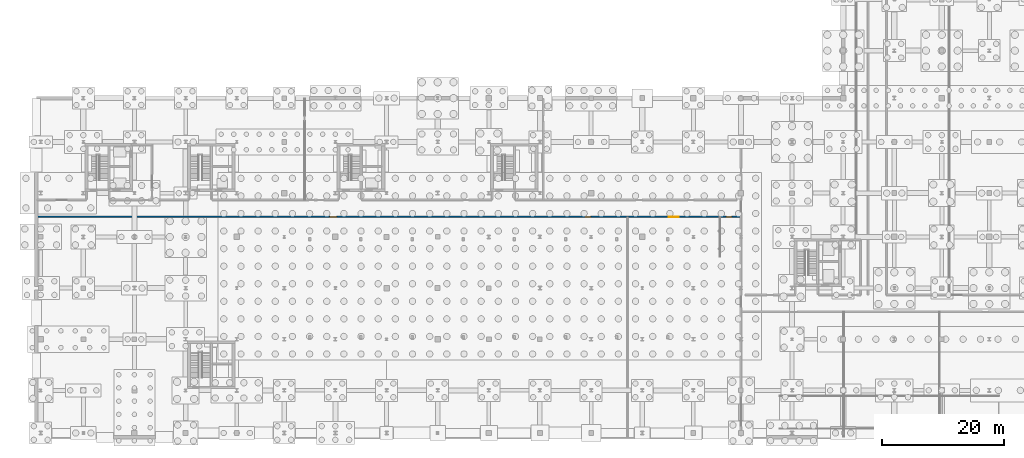
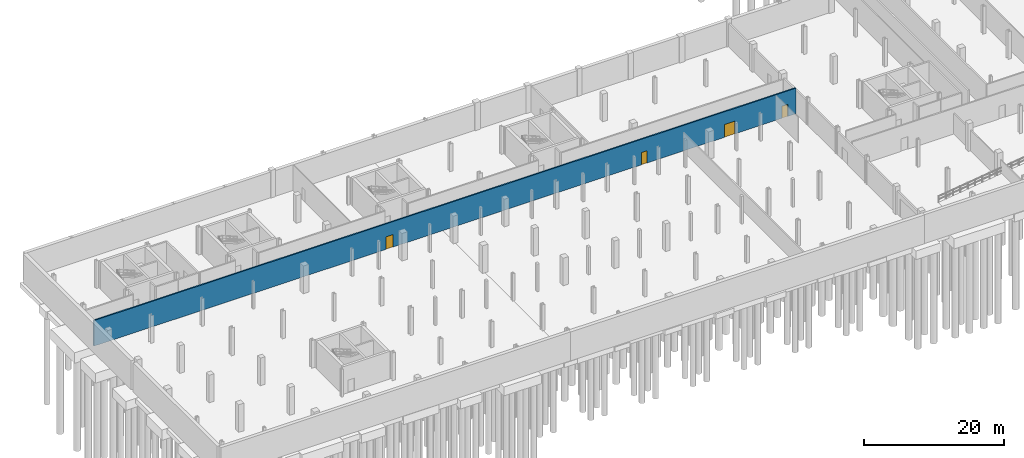
# One storey, part 22 of 32: 4 doors, 1 wall, 4 openings.
"""IFC4 building model written with IfcOpenShell, lengths in metres."""

import ifcopenshell
import ifcopenshell.guid

model = None  # the IFC model being written
_history = None  # IfcOwnerHistory: only IFC2X3 demands one
_inside = {}  # id of a spatial element -> (the spatial element, [elements in it])
_under = {}  # id of a project, library or spatial element -> (it, [spatial elements below it])
_declared = {}  # id of a project -> (the project, [libraries it declares])
_typed = {}  # id of a type object -> (the type object, [elements of that type])
_made_of = {}  # id of a material, layer set ... -> (it, [elements and type objects made of it])


def new_model(schema):
    """Start an empty IFC model of exactly this schema.

    Asked for "IFC4X3", IfcOpenShell would pick the latest addendum, in which some entities
    have other attributes; the version numbers below select the first issue.
    IFC2X3 requires an IfcOwnerHistory on every rooted entity: one is made here for all.
    """
    global model, _history
    if schema == "IFC4X3":
        model = ifcopenshell.file(schema_version=(4, 3, 0, 0))
    else:
        model = ifcopenshell.file(schema=schema)
    _inside.clear()
    _under.clear()
    _declared.clear()
    _typed.clear()
    _made_of.clear()
    _history = None
    if model.schema == "IFC2X3":
        org = make("IfcOrganization", Name="unknown")
        user = make(
            "IfcPersonAndOrganization",
            ThePerson=make("IfcPerson", FamilyName="unknown"),
            TheOrganization=org,
        )
        app = make(
            "IfcApplication",
            ApplicationDeveloper=org,
            Version="unknown",
            ApplicationFullName="unknown",
            ApplicationIdentifier="unknown",
        )
        _history = make(
            "IfcOwnerHistory",
            OwningUser=user,
            OwningApplication=app,
            ChangeAction="ADDED",
            CreationDate=0,
        )
    return model


def make(cls, **values):
    """One entity of the class cls with the attributes given. An attribute that is None is left unset."""
    return model.create_entity(
        cls, **{name: value for name, value in values.items() if value is not None}
    )


def rooted(cls, **values):
    """An entity with a GlobalId (a new one), such as an element, a storey or a relation."""
    return make(cls, GlobalId=ifcopenshell.guid.new(), OwnerHistory=_history, **values)


def si_unit(unit_type, name, prefix=None):
    """IfcSIUnit, for example si_unit("LENGTHUNIT", "METRE", prefix="MILLI")."""
    return make("IfcSIUnit", UnitType=unit_type, Prefix=prefix, Name=name)


def assignment(units):
    """IfcUnitAssignment: the units of a project."""
    return None if units is None else make("IfcUnitAssignment", Units=units)


def point(xyz):
    """IfcCartesianPoint."""
    return None if xyz is None else make("IfcCartesianPoint", Coordinates=xyz)


def direction(xyz):
    """IfcDirection."""
    return None if xyz is None else make("IfcDirection", DirectionRatios=xyz)


def frame(location, z_axis=None, x_axis=None):
    """IfcAxis2Placement3D, a coordinate frame: its origin and axes. An axis left out is left unset."""
    return make(
        "IfcAxis2Placement3D",
        Location=point(location),
        Axis=direction(z_axis),
        RefDirection=direction(x_axis),
    )


def frame_2d(location, x_axis=None):
    """IfcAxis2Placement2D, a coordinate frame in the plane: its origin and x axis."""
    return make(
        "IfcAxis2Placement2D", Location=point(location), RefDirection=direction(x_axis)
    )


def origin_with_axes():
    """The frame at (0, 0, 0) with the z axis (0, 0, 1) and the x axis (1, 0, 0) written out."""
    return frame((0.0, 0.0, 0.0), z_axis=(0.0, 0.0, 1.0), x_axis=(1.0, 0.0, 0.0))


def place(relative_to, where):
    """IfcLocalPlacement: puts the frame where relative to a parent placement (None: the world)."""
    return make(
        "IfcLocalPlacement", PlacementRelTo=relative_to, RelativePlacement=where
    )


def context(
    kind, dimensions, precision=None, world=None, true_north=None, identifier=None
):
    """IfcGeometricRepresentationContext, for example the 3D "Model" context."""
    return make(
        "IfcGeometricRepresentationContext",
        ContextIdentifier=identifier,
        ContextType=kind,
        CoordinateSpaceDimension=dimensions,
        Precision=precision,
        WorldCoordinateSystem=world,
        TrueNorth=true_north,
    )


def subcontext(parent, identifier, kind, view, scale=None):
    """IfcGeometricRepresentationSubContext, for example "Body" below "Model"."""
    return make(
        "IfcGeometricRepresentationSubContext",
        ContextIdentifier=identifier,
        ContextType=kind,
        ParentContext=parent,
        TargetScale=scale,
        TargetView=view,
    )


def project(units=None, contexts=None):
    """IfcProject with its units and contexts."""
    return rooted(
        "IfcProject",
        Name="project",
        RepresentationContexts=contexts,
        UnitsInContext=assignment(units),
    )


def spatial(cls, under=None, at=None, **own):
    """A site, building, storey or space (cls), placed at a placement, below another one or the project."""
    s = rooted(cls, ObjectPlacement=at, **own)
    if under is not None:
        _under.setdefault(under.id(), (under, []))[1].append(s)
    return s


def profile(cls, at=None, kind="AREA", **sizes):
    """A parametric profile (cls). Its sizes go by their IFC names, for example OverallWidth=200.0."""
    return make(cls, ProfileType=kind, Position=at, **sizes)


def rectangle(**sizes):
    """IfcRectangleProfileDef."""
    return profile("IfcRectangleProfileDef", **sizes)


def extrude(swept, where, along, depth):
    """IfcExtrudedAreaSolid: the profile swept, set in the frame where, extruded along a direction by depth."""
    return make(
        "IfcExtrudedAreaSolid",
        SweptArea=swept,
        Position=where,
        ExtrudedDirection=direction(along),
        Depth=depth,
    )


def shape(context_of_items, identifier, shape_type, items):
    """IfcShapeRepresentation: the items that make up one representation, for example the "Body"."""
    return make(
        "IfcShapeRepresentation",
        ContextOfItems=context_of_items,
        RepresentationIdentifier=identifier,
        RepresentationType=shape_type,
        Items=items,
    )


def material(Name=None, Category=None):
    """IfcMaterial."""
    return make("IfcMaterial", Name=Name, Category=Category)


def layer(
    of_material, thickness, ventilated=None, Name=None, Category=None, Priority=None
):
    """IfcMaterialLayer: one layer of a wall or slab, of a material (None: an air gap)."""
    return make(
        "IfcMaterialLayer",
        Material=of_material,
        LayerThickness=thickness,
        IsVentilated=ventilated,
        Name=Name,
        Category=Category,
        Priority=Priority,
    )


def layer_set(layers, Name=None):
    """IfcMaterialLayerSet."""
    return make("IfcMaterialLayerSet", MaterialLayers=layers, LayerSetName=Name)


def made_of(thing, what):
    """Note that an element or type object is made of a material, layer set ...; save() writes the relation."""
    if what is not None:
        _made_of.setdefault(what.id(), (what, []))[1].append(thing)
    return thing


def type_object(cls, material=None, **own):
    """A type object (cls), such as IfcWallType, which elements share."""
    return made_of(rooted(cls, **own), material)


def element(
    cls,
    number,
    at=None,
    inside=None,
    cuts=None,
    type_object=None,
    material=None,
    context=None,
    identifier="Body",
    shape_type=None,
    held_by="IfcProductDefinitionShape",
    body=None,
    shapes=None,
    **own,
):
    """One element of the class cls, such as IfcWall. Its Tag is "e" and its number.

    at: its placement. inside: the storey or other place that contains it. cuts: it is an
    opening in that element (IfcRelVoidsElement). A single representation is given by context,
    identifier, shape_type and body (its items); several are given by shapes. held_by: the class
    of the entity that holds the representations. save() writes the other relations.
    """
    e = rooted(cls, Tag="e%d" % number, ObjectPlacement=at, **own)
    if body is not None:
        shapes = [shape(context, identifier, shape_type, body)]
    if shapes is not None:
        e.Representation = make(held_by, Representations=shapes)
    if inside is not None:
        _inside.setdefault(inside.id(), (inside, []))[1].append(e)
    if cuts is not None:
        rooted(
            "IfcRelVoidsElement", RelatingBuildingElement=cuts, RelatedOpeningElement=e
        )
    if type_object is not None:
        _typed.setdefault(type_object.id(), (type_object, []))[1].append(e)
    return made_of(e, material)


def fill(opening, filler):
    """IfcRelFillsElement: the door or window that sits in an opening."""
    return rooted(
        "IfcRelFillsElement",
        RelatingOpeningElement=opening,
        RelatedBuildingElement=filler,
    )


def aggregate(whole, parts):
    """IfcRelAggregates: a whole, such as a stair, and the parts it consists of."""
    return rooted("IfcRelAggregates", RelatingObject=whole, RelatedObjects=parts)


def save(model, path):
    """Write the relations noted so far, then the file.

    IfcRelAggregates (storeys below a building ...), IfcRelContainedInSpatialStructure (elements
    in a storey), IfcRelDefinesByType, IfcRelAssociatesMaterial and IfcRelDeclares: one each for
    every whole, place, type object, material and project.
    """
    for whole, parts in _under.values():
        aggregate(whole, parts)
    for where, things in _inside.values():
        rooted(
            "IfcRelContainedInSpatialStructure",
            RelatedElements=things,
            RelatingStructure=where,
        )
    for kind, things in _typed.values():
        rooted("IfcRelDefinesByType", RelatedObjects=things, RelatingType=kind)
    for what, things in _made_of.values():
        rooted("IfcRelAssociatesMaterial", RelatedObjects=things, RelatingMaterial=what)
    for by, libraries in _declared.values():
        rooted("IfcRelDeclares", RelatingContext=by, RelatedDefinitions=libraries)
    model.write(path)


model = new_model("IFC4")

# Units and contexts
model_context = context("Model", 3, precision=1e-05, world=origin_with_axes(), true_north=direction((0.0, 1.0)))
body_context = subcontext(model_context, "Body", "Model", "MODEL_VIEW")
ifc_project = project(units=[si_unit("LENGTHUNIT", "METRE"), si_unit("AREAUNIT", "SQUARE_METRE"), si_unit("VOLUMEUNIT", "CUBIC_METRE"), si_unit("PLANEANGLEUNIT", "RADIAN"), si_unit("MASSUNIT", "GRAM", prefix="KILO"), si_unit("THERMODYNAMICTEMPERATUREUNIT", "KELVIN")], contexts=[model_context])

# Site, building, storey
site_placement = place(None, origin_with_axes())
site = spatial("IfcSite", under=ifc_project, at=site_placement, CompositionType="ELEMENT")
building_placement = place(site_placement, origin_with_axes())
building = spatial("IfcBuilding", under=site, at=building_placement, Name="Montbau Bow Law Courts", CompositionType="ELEMENT")
storey_placement = place(building_placement, frame((0.0, 0.0, -4.8), z_axis=(0.0, 0.0, 1.0), x_axis=(1.0, 0.0, 0.0)))
storey = spatial("IfcBuildingStorey", under=building, at=storey_placement, Name="B1", CompositionType="ELEMENT", Elevation=-4.8)

# Wall, openings, doors
ifc_material_1 = material(Name="STC-60 High-Acoustic Courtroom Perimeter Partition", Category="gypsum")
ifc_layer = layer(ifc_material_1, 0.22, Name="Partition", Category="gypsum")
ifc_layer_set = layer_set([ifc_layer], Name="STC-60 High-Acoustic Courtroom Perimeter Partition")
wall_type = type_object("IfcWallType", Name="W-PRT-02", PredefinedType="PARTITIONING", material=ifc_layer_set)
wall_placement = place(None, frame((6.22, 42.31, -4.8), z_axis=(0.0, 0.0, 1.0), x_axis=(1.0, 0.0, 0.0)))
wall = element("IfcWall", 1, at=wall_placement, inside=storey, type_object=wall_type, Name="WP-B1-0583:wal_0650", PredefinedType="PARTITIONING", context=body_context, shape_type="SweptSolid", body=[
    extrude(rectangle(XDim=115.44, YDim=0.22, at=frame_2d((57.72, 0.0), x_axis=(1.0, 0.0))), origin_with_axes(), (0.0, 0.0, 1.0), 4.44),
])
opening_1_placement = place(None, frame((54.854, 42.31, -4.8), z_axis=(0.0, 0.0, 1.0), x_axis=(1.0, 0.0, 0.0)))
opening_1 = element("IfcOpeningElement", 2, at=opening_1_placement, cuts=wall, Name="OP-D-B1-217", PredefinedType="OPENING", context=body_context, shape_type="SweptSolid", body=[
    extrude(rectangle(XDim=1.14, YDim=2.18, at=frame_2d((0.0, 1.09), x_axis=(1.0, 0.0))), frame((0.0, 0.12, 0.0), z_axis=(0.0, -1.0, 0.0), x_axis=(1.0, 0.0, 0.0)), (0.0, 0.0, 1.0), 0.24),
])
opening_2_placement = place(None, frame((110.762, 42.31, -4.8), z_axis=(0.0, 0.0, 1.0), x_axis=(1.0, 0.0, 0.0)))
opening_2 = element("IfcOpeningElement", 3, at=opening_2_placement, cuts=wall, Name="OP-D-B1-218", PredefinedType="OPENING", context=body_context, shape_type="SweptSolid", body=[
    extrude(rectangle(XDim=1.68, YDim=2.22, at=frame_2d((0.0, 1.11), x_axis=(1.0, 0.0))), frame((0.0, 0.12, 0.0), z_axis=(0.0, -1.0, 0.0), x_axis=(1.0, 0.0, 0.0)), (0.0, 0.0, 1.0), 0.24),
])
opening_3_placement = place(None, frame((119.848, 42.31, -4.8), z_axis=(0.0, 0.0, 1.0), x_axis=(1.0, 0.0, 0.0)))
opening_3 = element("IfcOpeningElement", 4, at=opening_3_placement, cuts=wall, Name="OP-D-B1-219", PredefinedType="OPENING", context=body_context, shape_type="SweptSolid", body=[
    extrude(rectangle(XDim=0.95, YDim=2.1, at=frame_2d((0.0, 1.05), x_axis=(1.0, 0.0))), frame((0.0, 0.12, 0.0), z_axis=(0.0, -1.0, 0.0), x_axis=(1.0, 0.0, 0.0)), (0.0, 0.0, 1.0), 0.24),
])
opening_4_placement = place(None, frame((96.723, 42.31, -4.8), z_axis=(0.0, 0.0, 1.0), x_axis=(1.0, 0.0, 0.0)))
opening_4 = element("IfcOpeningElement", 5, at=opening_4_placement, cuts=wall, Name="OP-D-SEC-418", PredefinedType="OPENING", context=body_context, shape_type="SweptSolid", body=[
    extrude(rectangle(XDim=0.92, YDim=2.14, at=frame_2d((0.0, 1.07), x_axis=(1.0, 0.0))), frame((0.0, 0.12, 0.0), z_axis=(0.0, -1.0, 0.0), x_axis=(1.0, 0.0, 0.0)), (0.0, 0.0, 1.0), 0.24),
])
ifc_material_2 = material(Name="2 h Evidence Vault and Court Archive Fire Door", Category="steel")
door_type_1 = type_object("IfcDoorType", Name="D-ARC-01", OperationType="NOTDEFINED", ParameterTakesPrecedence=False, PredefinedType="DOOR", material=ifc_material_2)
door_1_placement = place(None, frame((110.762, 42.31, -4.8), z_axis=(0.0, 0.0, 1.0), x_axis=(1.0, 0.0, 0.0)))
door_1 = element("IfcDoor", 6, at=door_1_placement, inside=storey, type_object=door_type_1, Name="D-B1-218:dor_0253", OperationType="DOUBLE_DOOR_SINGLE_SWING", OverallHeight=2.22, OverallWidth=1.68, PredefinedType="DOOR", context=body_context, shape_type="SweptSolid", body=[
    extrude(rectangle(XDim=1.68, YDim=2.22, at=frame_2d((0.0, 1.11), x_axis=(1.0, 0.0))), frame((0.0, 0.04, 0.0), z_axis=(0.0, -1.0, 0.0), x_axis=(1.0, 0.0, 0.0)), (0.0, 0.0, 1.0), 0.08),
])
fill(opening_2, door_1)
ifc_material_3 = material(Name="Judicial Law Clerk and Registry Office Oak Door", Category="wood")
door_type_2 = type_object("IfcDoorType", Name="D-OFF-01", OperationType="NOTDEFINED", ParameterTakesPrecedence=False, PredefinedType="DOOR", material=ifc_material_3)
door_2_placement = place(None, frame((96.723, 42.31, -4.8), z_axis=(0.0, 0.0, 1.0), x_axis=(1.0, 0.0, 0.0)))
door_2 = element("IfcDoor", 7, at=door_2_placement, inside=storey, type_object=door_type_2, Name="D-SEC-418:dor_0453", OperationType="SINGLE_SWING_LEFT", OverallHeight=2.14, OverallWidth=0.92, PredefinedType="DOOR", context=body_context, shape_type="SweptSolid", body=[
    extrude(rectangle(XDim=0.92, YDim=2.14, at=frame_2d((0.0, 1.07), x_axis=(1.0, 0.0))), frame((0.0, 0.04, 0.0), z_axis=(0.0, -1.0, 0.0), x_axis=(1.0, 0.0, 0.0)), (0.0, 0.0, 1.0), 0.08),
])
fill(opening_4, door_2)
ifc_material_4 = material(Name="1.5 h Fire-Rated Hollow-Metal Exit Stair Door", Category="steel")
door_type_3 = type_object("IfcDoorType", Name="D-ST-01", OperationType="NOTDEFINED", ParameterTakesPrecedence=False, PredefinedType="DOOR", material=ifc_material_4)
door_3_placement = place(None, frame((54.854, 42.31, -4.8), z_axis=(0.0, 0.0, 1.0), x_axis=(1.0, 0.0, 0.0)))
door_3 = element("IfcDoor", 8, at=door_3_placement, inside=storey, type_object=door_type_3, Name="D-B1-217:dor_0252", OperationType="SINGLE_SWING_RIGHT", OverallHeight=2.18, OverallWidth=1.14, PredefinedType="DOOR", context=body_context, shape_type="SweptSolid", body=[
    extrude(rectangle(XDim=1.14, YDim=2.18, at=frame_2d((0.0, 1.09), x_axis=(1.0, 0.0))), frame((0.0, 0.04, 0.0), z_axis=(0.0, -1.0, 0.0), x_axis=(1.0, 0.0, 0.0)), (0.0, 0.0, 1.0), 0.08),
])
fill(opening_1, door_3)
ifc_material_5 = material(Name="CSA B651 Universal Barrier-Free Washroom Door", Category="wood")
door_type_4 = type_object("IfcDoorType", Name="D-WC-01", OperationType="NOTDEFINED", ParameterTakesPrecedence=False, PredefinedType="DOOR", material=ifc_material_5)
door_4_placement = place(None, frame((119.848, 42.31, -4.8), z_axis=(0.0, 0.0, 1.0), x_axis=(1.0, 0.0, 0.0)))
door_4 = element("IfcDoor", 9, at=door_4_placement, inside=storey, type_object=door_type_4, Name="D-B1-219:dor_0254", OperationType="SINGLE_SWING_LEFT", OverallHeight=2.1, OverallWidth=0.95, PredefinedType="DOOR", context=body_context, shape_type="SweptSolid", body=[
    extrude(rectangle(XDim=0.95, YDim=2.1, at=frame_2d((0.0, 1.05), x_axis=(1.0, 0.0))), frame((0.0, 0.04, 0.0), z_axis=(0.0, -1.0, 0.0), x_axis=(1.0, 0.0, 0.0)), (0.0, 0.0, 1.0), 0.08),
])
fill(opening_3, door_4)

save(model, "model.ifc")
